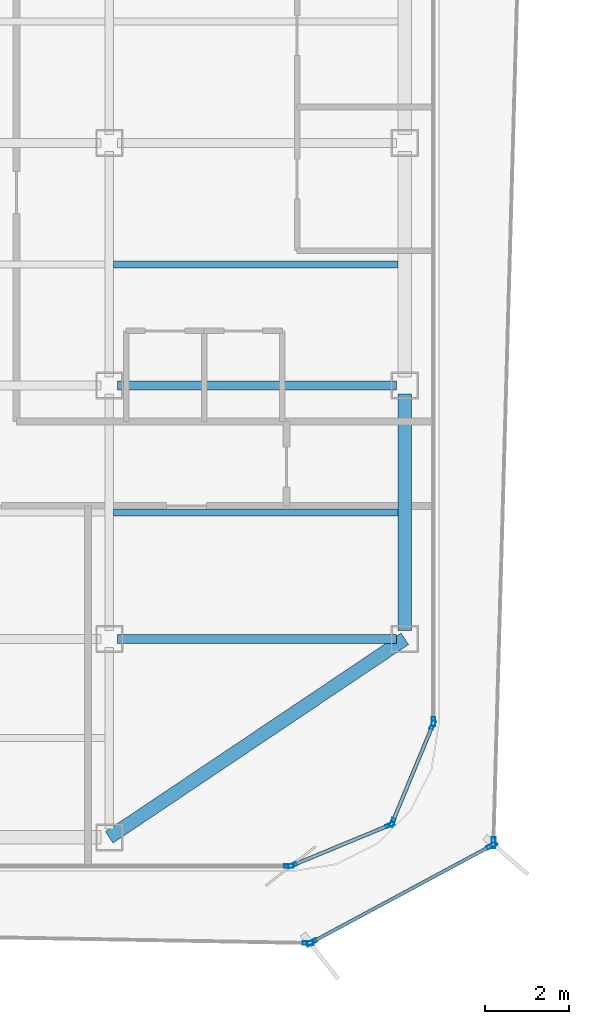
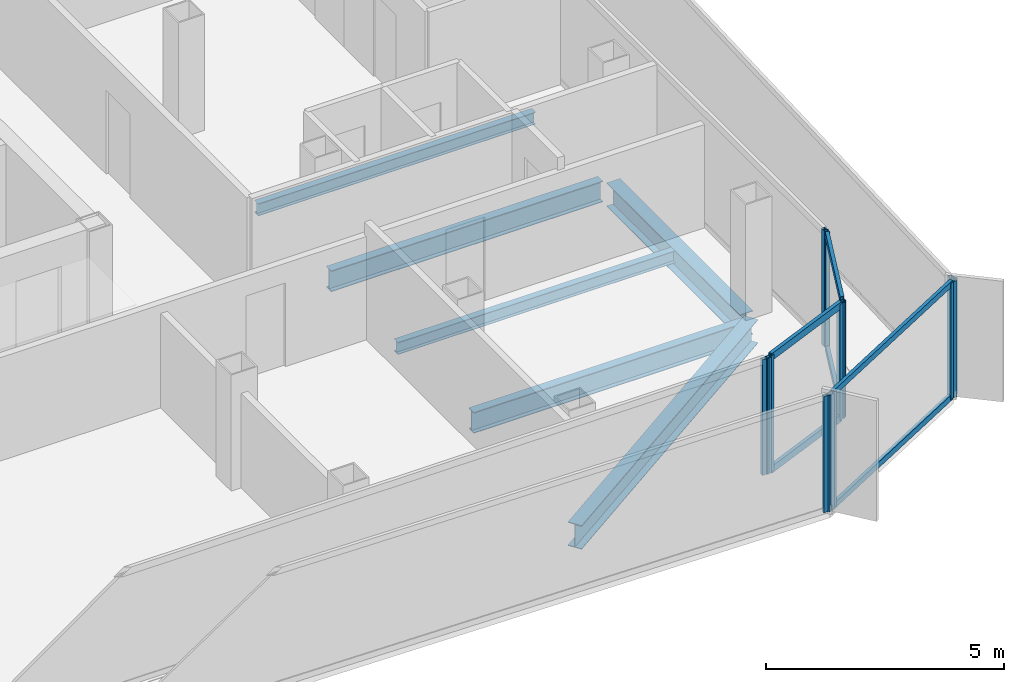
# One storey, part 4 of 14: 16 members, 6 beams, 7 elements without a shape of their own.
"""IFC4 building model written with IfcOpenShell, lengths in metres."""

import ifcopenshell
import ifcopenshell.guid

model = None  # the IFC model being written
_history = None  # IfcOwnerHistory: only IFC2X3 demands one
_inside = {}  # id of a spatial element -> (the spatial element, [elements in it])
_under = {}  # id of a project, library or spatial element -> (it, [spatial elements below it])
_declared = {}  # id of a project -> (the project, [libraries it declares])
_typed = {}  # id of a type object -> (the type object, [elements of that type])
_made_of = {}  # id of a material, layer set ... -> (it, [elements and type objects made of it])


def new_model(schema):
    """Start an empty IFC model of exactly this schema.

    Asked for "IFC4X3", IfcOpenShell would pick the latest addendum, in which some entities
    have other attributes; the version numbers below select the first issue.
    IFC2X3 requires an IfcOwnerHistory on every rooted entity: one is made here for all.
    """
    global model, _history
    if schema == "IFC4X3":
        model = ifcopenshell.file(schema_version=(4, 3, 0, 0))
    else:
        model = ifcopenshell.file(schema=schema)
    _inside.clear()
    _under.clear()
    _declared.clear()
    _typed.clear()
    _made_of.clear()
    _history = None
    if model.schema == "IFC2X3":
        org = make("IfcOrganization", Name="unknown")
        user = make(
            "IfcPersonAndOrganization",
            ThePerson=make("IfcPerson", FamilyName="unknown"),
            TheOrganization=org,
        )
        app = make(
            "IfcApplication",
            ApplicationDeveloper=org,
            Version="unknown",
            ApplicationFullName="unknown",
            ApplicationIdentifier="unknown",
        )
        _history = make(
            "IfcOwnerHistory",
            OwningUser=user,
            OwningApplication=app,
            ChangeAction="ADDED",
            CreationDate=0,
        )
    return model


def make(cls, **values):
    """One entity of the class cls with the attributes given. An attribute that is None is left unset."""
    return model.create_entity(
        cls, **{name: value for name, value in values.items() if value is not None}
    )


def rooted(cls, **values):
    """An entity with a GlobalId (a new one), such as an element, a storey or a relation."""
    return make(cls, GlobalId=ifcopenshell.guid.new(), OwnerHistory=_history, **values)


def si_unit(unit_type, name, prefix=None):
    """IfcSIUnit, for example si_unit("LENGTHUNIT", "METRE", prefix="MILLI")."""
    return make("IfcSIUnit", UnitType=unit_type, Prefix=prefix, Name=name)


def assignment(units):
    """IfcUnitAssignment: the units of a project."""
    return None if units is None else make("IfcUnitAssignment", Units=units)


def point(xyz):
    """IfcCartesianPoint."""
    return None if xyz is None else make("IfcCartesianPoint", Coordinates=xyz)


def direction(xyz):
    """IfcDirection."""
    return None if xyz is None else make("IfcDirection", DirectionRatios=xyz)


def frame(location, z_axis=None, x_axis=None):
    """IfcAxis2Placement3D, a coordinate frame: its origin and axes. An axis left out is left unset."""
    return make(
        "IfcAxis2Placement3D",
        Location=point(location),
        Axis=direction(z_axis),
        RefDirection=direction(x_axis),
    )


def frame_2d(location, x_axis=None):
    """IfcAxis2Placement2D, a coordinate frame in the plane: its origin and x axis."""
    return make(
        "IfcAxis2Placement2D", Location=point(location), RefDirection=direction(x_axis)
    )


def origin():
    """The frame at (0, 0, 0) with its axes left unset."""
    return frame((0.0, 0.0, 0.0))


def origin_2d():
    """The frame at (0, 0) in the plane with its x axis left unset."""
    return frame_2d((0.0, 0.0))


def place(relative_to, where):
    """IfcLocalPlacement: puts the frame where relative to a parent placement (None: the world)."""
    return make(
        "IfcLocalPlacement", PlacementRelTo=relative_to, RelativePlacement=where
    )


def context(
    kind, dimensions, precision=None, world=None, true_north=None, identifier=None
):
    """IfcGeometricRepresentationContext, for example the 3D "Model" context."""
    return make(
        "IfcGeometricRepresentationContext",
        ContextIdentifier=identifier,
        ContextType=kind,
        CoordinateSpaceDimension=dimensions,
        Precision=precision,
        WorldCoordinateSystem=world,
        TrueNorth=true_north,
    )


def subcontext(parent, identifier, kind, view, scale=None):
    """IfcGeometricRepresentationSubContext, for example "Body" below "Model"."""
    return make(
        "IfcGeometricRepresentationSubContext",
        ContextIdentifier=identifier,
        ContextType=kind,
        ParentContext=parent,
        TargetScale=scale,
        TargetView=view,
    )


def project(units=None, contexts=None):
    """IfcProject with its units and contexts."""
    return rooted(
        "IfcProject",
        Name="project",
        RepresentationContexts=contexts,
        UnitsInContext=assignment(units),
    )


def spatial(cls, under=None, at=None, **own):
    """A site, building, storey or space (cls), placed at a placement, below another one or the project."""
    s = rooted(cls, ObjectPlacement=at, **own)
    if under is not None:
        _under.setdefault(under.id(), (under, []))[1].append(s)
    return s


def profile(cls, at=None, kind="AREA", **sizes):
    """A parametric profile (cls). Its sizes go by their IFC names, for example OverallWidth=200.0."""
    return make(cls, ProfileType=kind, Position=at, **sizes)


def hollow_rectangle(**sizes):
    """IfcRectangleHollowProfileDef."""
    return profile("IfcRectangleHollowProfileDef", **sizes)


def i_section(**sizes):
    """IfcIShapeProfileDef."""
    return profile("IfcIShapeProfileDef", **sizes)


def extrude(swept, where, along, depth):
    """IfcExtrudedAreaSolid: the profile swept, set in the frame where, extruded along a direction by depth."""
    return make(
        "IfcExtrudedAreaSolid",
        SweptArea=swept,
        Position=where,
        ExtrudedDirection=direction(along),
        Depth=depth,
    )


def shape(context_of_items, identifier, shape_type, items):
    """IfcShapeRepresentation: the items that make up one representation, for example the "Body"."""
    return make(
        "IfcShapeRepresentation",
        ContextOfItems=context_of_items,
        RepresentationIdentifier=identifier,
        RepresentationType=shape_type,
        Items=items,
    )


def source(mapping_origin, context_of_items, identifier, shape_type, items):
    """IfcRepresentationMap: a shape defined once, which mapped items show again and again."""
    return make(
        "IfcRepresentationMap",
        MappingOrigin=mapping_origin,
        MappedRepresentation=shape(context_of_items, identifier, shape_type, items),
    )


def transform(
    local_origin,
    x_axis=None,
    y_axis=None,
    z_axis=None,
    scale=None,
    scale2=None,
    scale3=None,
    uniform=True,
):
    """IfcCartesianTransformationOperator3D, or its non-uniform kind. x_axis, y_axis, z_axis: its Axis1, 2, 3."""
    if uniform:
        return make(
            "IfcCartesianTransformationOperator3D",
            Axis1=direction(x_axis),
            Axis2=direction(y_axis),
            LocalOrigin=point(local_origin),
            Scale=scale,
            Axis3=direction(z_axis),
        )
    return make(
        "IfcCartesianTransformationOperator3DnonUniform",
        Axis1=direction(x_axis),
        Axis2=direction(y_axis),
        LocalOrigin=point(local_origin),
        Scale=scale,
        Axis3=direction(z_axis),
        Scale2=scale2,
        Scale3=scale3,
    )


def mapped(mapping_source, mapping_target):
    """IfcMappedItem: shows the shape of a source again, moved by a transform."""
    return make(
        "IfcMappedItem", MappingSource=mapping_source, MappingTarget=mapping_target
    )


def material(Name=None, Category=None):
    """IfcMaterial."""
    return make("IfcMaterial", Name=Name, Category=Category)


def layer(
    of_material, thickness, ventilated=None, Name=None, Category=None, Priority=None
):
    """IfcMaterialLayer: one layer of a wall or slab, of a material (None: an air gap)."""
    return make(
        "IfcMaterialLayer",
        Material=of_material,
        LayerThickness=thickness,
        IsVentilated=ventilated,
        Name=Name,
        Category=Category,
        Priority=Priority,
    )


def layer_set(layers, Name=None):
    """IfcMaterialLayerSet."""
    return make("IfcMaterialLayerSet", MaterialLayers=layers, LayerSetName=Name)


def material_profile(
    of_material, cross_section, Name=None, Category=None, Priority=None
):
    """IfcMaterialProfile: a cross section and its material."""
    return make(
        "IfcMaterialProfile",
        Name=Name,
        Material=of_material,
        Profile=cross_section,
        Priority=Priority,
        Category=Category,
    )


def profile_set(profiles, Name=None, composite=None):
    """IfcMaterialProfileSet."""
    return make(
        "IfcMaterialProfileSet",
        Name=Name,
        MaterialProfiles=profiles,
        CompositeProfile=composite,
    )


def made_of(thing, what):
    """Note that an element or type object is made of a material, layer set ...; save() writes the relation."""
    if what is not None:
        _made_of.setdefault(what.id(), (what, []))[1].append(thing)
    return thing


def type_object(cls, material=None, **own):
    """A type object (cls), such as IfcWallType, which elements share."""
    return made_of(rooted(cls, **own), material)


def element(
    cls,
    number,
    at=None,
    inside=None,
    cuts=None,
    type_object=None,
    material=None,
    context=None,
    identifier="Body",
    shape_type=None,
    held_by="IfcProductDefinitionShape",
    body=None,
    shapes=None,
    **own,
):
    """One element of the class cls, such as IfcWall. Its Tag is "e" and its number.

    at: its placement. inside: the storey or other place that contains it. cuts: it is an
    opening in that element (IfcRelVoidsElement). A single representation is given by context,
    identifier, shape_type and body (its items); several are given by shapes. held_by: the class
    of the entity that holds the representations. save() writes the other relations.
    """
    e = rooted(cls, Tag="e%d" % number, ObjectPlacement=at, **own)
    if body is not None:
        shapes = [shape(context, identifier, shape_type, body)]
    if shapes is not None:
        e.Representation = make(held_by, Representations=shapes)
    if inside is not None:
        _inside.setdefault(inside.id(), (inside, []))[1].append(e)
    if cuts is not None:
        rooted(
            "IfcRelVoidsElement", RelatingBuildingElement=cuts, RelatedOpeningElement=e
        )
    if type_object is not None:
        _typed.setdefault(type_object.id(), (type_object, []))[1].append(e)
    return made_of(e, material)


def aggregate(whole, parts):
    """IfcRelAggregates: a whole, such as a stair, and the parts it consists of."""
    return rooted("IfcRelAggregates", RelatingObject=whole, RelatedObjects=parts)


def save(model, path):
    """Write the relations noted so far, then the file.

    IfcRelAggregates (storeys below a building ...), IfcRelContainedInSpatialStructure (elements
    in a storey), IfcRelDefinesByType, IfcRelAssociatesMaterial and IfcRelDeclares: one each for
    every whole, place, type object, material and project.
    """
    for whole, parts in _under.values():
        aggregate(whole, parts)
    for where, things in _inside.values():
        rooted(
            "IfcRelContainedInSpatialStructure",
            RelatedElements=things,
            RelatingStructure=where,
        )
    for kind, things in _typed.values():
        rooted("IfcRelDefinesByType", RelatedObjects=things, RelatingType=kind)
    for what, things in _made_of.values():
        rooted("IfcRelAssociatesMaterial", RelatedObjects=things, RelatingMaterial=what)
    for by, libraries in _declared.values():
        rooted("IfcRelDeclares", RelatingContext=by, RelatedDefinitions=libraries)
    model.write(path)


model = new_model("IFC4")

# Units and contexts
model_context = context("Model", 3, precision=1e-05, world=origin(), true_north=direction((0.0, 1.0)))
body_context = subcontext(model_context, "Body", "Model", "MODEL_VIEW")
ifc_project = project(units=[si_unit("LENGTHUNIT", "METRE"), si_unit("AREAUNIT", "SQUARE_METRE"), si_unit("VOLUMEUNIT", "CUBIC_METRE"), si_unit("PLANEANGLEUNIT", "RADIAN"), si_unit("MASSUNIT", "GRAM", prefix="KILO")], contexts=[model_context])

# Site, building, storey
site_placement = place(None, origin())
site = spatial("IfcSite", under=ifc_project, at=site_placement, CompositionType="ELEMENT")
building_placement = place(site_placement, origin())
building = spatial("IfcBuilding", under=site, at=building_placement, Name="Kolveth Station Tower", CompositionType="ELEMENT")
storey_placement = place(building_placement, frame((0.0, 0.0, 226.5)))
storey = spatial("IfcBuildingStorey", under=building, at=storey_placement, Name="L64", CompositionType="ELEMENT", Elevation=226.5)

# Beams
ifc_material_1 = material(Name="Steel S355", Category="steel")
ifc_material_profile_1 = material_profile(ifc_material_1, i_section(OverallWidth=0.323974609375, OverallDepth=0.611083984375, WebThickness=0.0126953125, FlangeThickness=0.01904296875, at=origin_2d()), Name="W610x155")
ifc_profile_set_1 = profile_set([ifc_material_profile_1], Name="Steel S355")
beam_type_1 = type_object("IfcBeamType", Name="Beam_SP2", PredefinedType="SPANDREL", material=ifc_profile_set_1)
shared_shape_1 = source(origin(), body_context, "Body", "SweptSolid", [
    extrude(i_section(OverallWidth=0.323974609375, OverallDepth=0.611083984375, WebThickness=0.0126953125, FlangeThickness=0.01904296875, at=origin_2d()), origin(), (0.0, 0.0, 1.0), 8.431396484375),
])
beam_1_placement = place(storey_placement, frame((34.0, 0.800048828125, -0.525390625), z_axis=(0.830223811004, 0.557430196206, 0.0), x_axis=(-0.557430196206, 0.830223811004, 0.0)))
element("IfcBeam", 1, at=beam_1_placement, inside=storey, type_object=beam_type_1, Name="L64 Corner Edge Girder BM-L64-CNR-SE", PredefinedType="SPANDREL", context=body_context, shape_type="MappedRepresentation", body=[
    mapped(shared_shape_1, transform((0.0, 0.0, 0.0), x_axis=(1.0, 0.0, 0.0), y_axis=(0.0, 1.0, 0.0), z_axis=(0.0, 0.0, 1.0), scale=1.0)),
])
shared_shape_2 = source(origin(), body_context, "Body", "SweptSolid", [
    extrude(i_section(OverallWidth=0.323974609375, OverallDepth=0.611083984375, WebThickness=0.0126953125, FlangeThickness=0.01904296875, at=origin_2d()), origin(), (0.0, 0.0, 1.0), 5.60009765625),
])
beam_2_placement = place(storey_placement, frame((41.0, 5.699951171875, -0.525390625), z_axis=(0.0, 1.0, 0.0), x_axis=(-1.0, 0.0, 0.0)))
element("IfcBeam", 2, at=beam_2_placement, inside=storey, type_object=beam_type_1, Name="L64 Perimeter Spandrel BM-L64-PE-1", PredefinedType="SPANDREL", context=body_context, shape_type="MappedRepresentation", body=[
    mapped(shared_shape_2, transform((0.0, 0.0, 0.0), x_axis=(1.0, 0.0, 0.0), y_axis=(0.0, 1.0, 0.0), z_axis=(0.0, 0.0, 1.0), scale=1.0)),
])
ifc_material_profile_2 = material_profile(ifc_material_1, i_section(OverallWidth=0.2099609375, OverallDepth=0.537109375, WebThickness=0.010986328125, FlangeThickness=0.017333984375, at=origin_2d()), Name="W530x101")
ifc_profile_set_2 = profile_set([ifc_material_profile_2], Name="Steel S355")
beam_type_2 = type_object("IfcBeamType", Name="Beam_B6", PredefinedType="BEAM", material=ifc_profile_set_2)
shared_shape_3 = source(origin(), body_context, "Body", "SweptSolid", [
    extrude(i_section(OverallWidth=0.2099609375, OverallDepth=0.537109375, WebThickness=0.010986328125, FlangeThickness=0.017333984375, at=origin_2d()), origin(), (0.0, 0.0, 1.0), 6.60009765625),
])
for number, where, z_axis, x_axis, name in (
    (3, (34.199951171875, 5.5, -0.488525390625), (1.0, 0.0, 0.0), (0.0, 1.0, 0.0), "L64 Primary Girder BM-L64-GY55-5"),
    (4, (34.199951171875, 11.5, -0.488525390625), (1.0, 0.0, 0.0), (0.0, 1.0, 0.0), "L64 Primary Girder BM-L64-GY115-5"),
):
    element("IfcBeam", number, at=place(storey_placement, frame(where, z_axis=z_axis, x_axis=x_axis)), inside=storey, type_object=beam_type_2, Name=name, PredefinedType="BEAM", context=body_context, shape_type="MappedRepresentation", body=[
        mapped(shared_shape_3, transform((0.0, 0.0, 0.0), x_axis=(1.0, 0.0, 0.0), y_axis=(0.0, 1.0, 0.0), z_axis=(0.0, 0.0, 1.0), scale=1.0)),
    ])
ifc_material_profile_3 = material_profile(ifc_material_1, i_section(OverallWidth=0.1650390625, OverallDepth=0.31005859375, WebThickness=0.005859375, FlangeThickness=0.009765625, at=origin_2d()), Name="W310x39")
ifc_profile_set_3 = profile_set([ifc_material_profile_3], Name="Steel S355")
beam_type_3 = type_object("IfcBeamType", Name="Beam_J3", PredefinedType="JOIST", material=ifc_profile_set_3)
shared_shape_4 = source(origin(), body_context, "Body", "SweptSolid", [
    extrude(i_section(OverallWidth=0.1650390625, OverallDepth=0.31005859375, WebThickness=0.005859375, FlangeThickness=0.009765625, at=origin_2d()), origin(), (0.0, 0.0, 1.0), 6.737060546875),
])
for number, where, z_axis, x_axis, name in (
    (5, (34.10302734375, 8.5, -0.375), (1.0, 0.0, 0.0), (0.0, 1.0, 0.0), "L64 Secondary Joist JST-L64-5-2"),
    (6, (34.10302734375, 14.375, -0.375), (1.0, 0.0, 0.0), (0.0, 1.0, 0.0), "L64 Secondary Joist JST-L64-5-3"),
):
    element("IfcBeam", number, at=place(storey_placement, frame(where, z_axis=z_axis, x_axis=x_axis)), inside=storey, type_object=beam_type_3, Name=name, PredefinedType="JOIST", context=body_context, shape_type="MappedRepresentation", body=[
        mapped(shared_shape_4, transform((0.0, 0.0, 0.0), x_axis=(1.0, 0.0, 0.0), y_axis=(0.0, 1.0, 0.0), z_axis=(0.0, 0.0, 1.0), scale=1.0)),
    ])

# Curtain wall, members
ifc_material_2 = material(Name="Black anodized aluminium 6063-T6 and dark solar glass", Category="aluminium")
ifc_layer_1 = layer(ifc_material_2, 0.159912109375)
ifc_layer_set_1 = layer_set([ifc_layer_1], Name="Black anodized aluminium 6063-T6 and dark solar glass")
curtain_wall_type_1 = type_object("IfcCurtainWallType", Name="OUTER SKIN CW-OS", PredefinedType="NOTDEFINED", material=ifc_layer_set_1)
curtain_wall_1_placement = place(storey_placement, origin())
curtain_wall_1 = element("IfcCurtainWall", 7, at=curtain_wall_1_placement, inside=storey, type_object=curtain_wall_type_1, Name="L64 Outer Ventilated Skin Curtain Wall 1", PredefinedType="NOTDEFINED")
ifc_material_3 = material(Name="Black anodized aluminium 6063-T6", Category="aluminium")
ifc_material_profile_4 = material_profile(ifc_material_3, hollow_rectangle(XDim=0.090087890625, YDim=0.260009765625, WallThickness=0.0048828125, at=origin_2d()), Name="ALU-90x260x5")
ifc_profile_set_4 = profile_set([ifc_material_profile_4], Name="Black anodized aluminium 6063-T6")
member_type_1 = type_object("IfcMemberType", Name="FIN MULLION ML-OS", PredefinedType="MULLION", material=ifc_profile_set_4)
shared_shape_5 = source(origin(), body_context, "Body", "SweptSolid", [
    extrude(hollow_rectangle(XDim=0.090087890625, YDim=0.260009765625, WallThickness=0.0048828125, at=origin_2d()), origin(), (0.0, 0.0, 1.0), 2.989990234375),
])
member_1_placement = place(storey_placement, frame((38.796630859375, -1.686279296875, 0.0), z_axis=(0.0, 0.0, 1.0), x_axis=(-0.473390240681, 0.880852814054, 0.0)))
member_1 = element("IfcMember", 8, at=member_1_placement, type_object=member_type_1, Name="CW-OS mullion 1", PredefinedType="MULLION", context=body_context, shape_type="MappedRepresentation", body=[
    mapped(shared_shape_5, transform((0.0, 0.0, 0.0), x_axis=(1.0, 0.0, 0.0), y_axis=(0.0, 1.0, 0.0), z_axis=(0.0, 0.0, 1.0), scale=1.0)),
])
member_2_placement = place(storey_placement, frame((43.0634765625, 0.606689453125, 0.0), z_axis=(0.0, 0.0, 1.0), x_axis=(-0.473390240681, 0.880852814054, 0.0)))
member_2 = element("IfcMember", 9, at=member_2_placement, type_object=member_type_1, Name="CW-OS mullion 2", PredefinedType="MULLION", context=body_context, shape_type="MappedRepresentation", body=[
    mapped(shared_shape_5, transform((0.0, 0.0, 0.0), x_axis=(1.0, 0.0, 0.0), y_axis=(0.0, 1.0, 0.0), z_axis=(0.0, 0.0, 1.0), scale=1.0)),
])

# Curtain wall, member
curtain_wall_2_placement = place(storey_placement, origin())
curtain_wall_2 = element("IfcCurtainWall", 10, at=curtain_wall_2_placement, inside=storey, type_object=curtain_wall_type_1, Name="L64 Outer Ventilated Skin Curtain Wall 2", PredefinedType="NOTDEFINED")
member_3_placement = place(storey_placement, frame((43.1044921875, 0.673095703125, 0.0), z_axis=(0.0, 0.0, 1.0), x_axis=(-0.999608198205, 0.027990178319, 0.0)))
member_3 = element("IfcMember", 11, at=member_3_placement, type_object=member_type_1, Name="CW-OS mullion 1", PredefinedType="MULLION", context=body_context, shape_type="MappedRepresentation", body=[
    mapped(shared_shape_5, transform((0.0, 0.0, 0.0), x_axis=(1.0, 0.0, 0.0), y_axis=(0.0, 1.0, 0.0), z_axis=(0.0, 0.0, 1.0), scale=1.0)),
])
aggregate(curtain_wall_2, [member_3])

curtain_wall_3_placement = place(storey_placement, origin())
curtain_wall_3 = element("IfcCurtainWall", 12, at=curtain_wall_3_placement, inside=storey, type_object=curtain_wall_type_1, Name="L64 Outer Ventilated Skin Curtain Wall 8", PredefinedType="NOTDEFINED")
member_4_placement = place(storey_placement, frame((38.7119140625, -1.706787109375, 0.0), z_axis=(0.0, 0.0, 1.0), x_axis=(0.017968591408, 0.999838551829, 0.0)))
member_4 = element("IfcMember", 13, at=member_4_placement, type_object=member_type_1, Name="CW-OS mullion 2", PredefinedType="MULLION", context=body_context, shape_type="MappedRepresentation", body=[
    mapped(shared_shape_5, transform((0.0, 0.0, 0.0), x_axis=(1.0, 0.0, 0.0), y_axis=(0.0, 1.0, 0.0), z_axis=(0.0, 0.0, 1.0), scale=1.0)),
])
aggregate(curtain_wall_3, [member_4])

# Curtain wall, members
ifc_material_4 = material(Name="Aluminium 6063-T6 and triple low-E dark glass", Category="aluminium")
ifc_layer_2 = layer(ifc_material_4, 0.199951171875)
ifc_layer_set_2 = layer_set([ifc_layer_2], Name="Aluminium 6063-T6 and triple low-E dark glass")
curtain_wall_type_2 = type_object("IfcCurtainWallType", Name="CurtainWall_CW-Z3", PredefinedType="NOTDEFINED", material=ifc_layer_set_2)
curtain_wall_4_placement = place(storey_placement, origin())
curtain_wall_4 = element("IfcCurtainWall", 14, at=curtain_wall_4_placement, inside=storey, type_object=curtain_wall_type_2, Name="L64 Inner Thermal Curtain Wall 1", PredefinedType="NOTDEFINED")
ifc_material_profile_5 = material_profile(ifc_material_3, hollow_rectangle(XDim=0.0849609375, YDim=0.215087890625, WallThickness=0.0048828125, at=origin_2d()), Name="ALU-85x215x5")
ifc_profile_set_5 = profile_set([ifc_material_profile_5], Name="Black anodized aluminium 6063-T6")
member_type_2 = type_object("IfcMemberType", Name="Mullion_ML3", PredefinedType="MULLION", material=ifc_profile_set_5)
shared_shape_6 = source(origin(), body_context, "Body", "SweptSolid", [
    extrude(hollow_rectangle(XDim=0.0849609375, YDim=0.215087890625, WallThickness=0.0048828125, at=origin_2d()), origin(), (0.0, 0.0, 1.0), 2.97998046875),
])
member_5_placement = place(storey_placement, frame((38.33935546875, 0.13623046875, 0.0), z_axis=(0.0, 0.0, 1.0), x_axis=(-0.382693194181, 0.923875488975, 0.0)))
member_5 = element("IfcMember", 15, at=member_5_placement, type_object=member_type_2, Name="CW-Z3 mullion 1", PredefinedType="MULLION", context=body_context, shape_type="MappedRepresentation", body=[
    mapped(shared_shape_6, transform((0.0, 0.0, 0.0), x_axis=(1.0, 0.0, 0.0), y_axis=(0.0, 1.0, 0.0), z_axis=(0.0, 0.0, 1.0), scale=1.0)),
])
member_6_placement = place(storey_placement, frame((40.650634765625, 1.09375, 0.0), z_axis=(0.0, 0.0, 1.0), x_axis=(-0.382693194181, 0.923875488975, 0.0)))
member_6 = element("IfcMember", 16, at=member_6_placement, type_object=member_type_2, Name="CW-Z3 mullion 2", PredefinedType="MULLION", context=body_context, shape_type="MappedRepresentation", body=[
    mapped(shared_shape_6, transform((0.0, 0.0, 0.0), x_axis=(1.0, 0.0, 0.0), y_axis=(0.0, 1.0, 0.0), z_axis=(0.0, 0.0, 1.0), scale=1.0)),
])

curtain_wall_5_placement = place(storey_placement, origin())
curtain_wall_5 = element("IfcCurtainWall", 17, at=curtain_wall_5_placement, inside=storey, type_object=curtain_wall_type_2, Name="L64 Inner Thermal Curtain Wall 2", PredefinedType="NOTDEFINED")
member_7_placement = place(storey_placement, frame((40.706298828125, 1.149169921875, 0.0), z_axis=(0.0, 0.0, 1.0), x_axis=(-0.923875488975, 0.382693194181, 0.0)))
member_7 = element("IfcMember", 18, at=member_7_placement, type_object=member_type_2, Name="CW-Z3 mullion 1", PredefinedType="MULLION", context=body_context, shape_type="MappedRepresentation", body=[
    mapped(shared_shape_6, transform((0.0, 0.0, 0.0), x_axis=(1.0, 0.0, 0.0), y_axis=(0.0, 1.0, 0.0), z_axis=(0.0, 0.0, 1.0), scale=1.0)),
])
member_8_placement = place(storey_placement, frame((41.663818359375, 3.460693359375, 0.0), z_axis=(0.0, 0.0, 1.0), x_axis=(-0.923875488975, 0.382693194181, 0.0)))
member_8 = element("IfcMember", 19, at=member_8_placement, type_object=member_type_2, Name="CW-Z3 mullion 2", PredefinedType="MULLION", context=body_context, shape_type="MappedRepresentation", body=[
    mapped(shared_shape_6, transform((0.0, 0.0, 0.0), x_axis=(1.0, 0.0, 0.0), y_axis=(0.0, 1.0, 0.0), z_axis=(0.0, 0.0, 1.0), scale=1.0)),
])

# Curtain wall, member
curtain_wall_6_placement = place(storey_placement, origin())
curtain_wall_6 = element("IfcCurtainWall", 20, at=curtain_wall_6_placement, inside=storey, type_object=curtain_wall_type_2, Name="L64 Inner Thermal Curtain Wall 3", PredefinedType="NOTDEFINED")
member_9_placement = place(storey_placement, frame((41.679931640625, 3.54248046875, 0.0), z_axis=(0.0, 0.0, 1.0), x_axis=(-1.0, 0.0, 0.0)))
member_9 = element("IfcMember", 21, at=member_9_placement, type_object=member_type_2, Name="CW-Z3 mullion 1", PredefinedType="MULLION", context=body_context, shape_type="MappedRepresentation", body=[
    mapped(shared_shape_6, transform((0.0, 0.0, 0.0), x_axis=(1.0, 0.0, 0.0), y_axis=(0.0, 1.0, 0.0), z_axis=(0.0, 0.0, 1.0), scale=1.0)),
])
aggregate(curtain_wall_6, [member_9])

curtain_wall_7_placement = place(storey_placement, origin())
curtain_wall_7 = element("IfcCurtainWall", 22, at=curtain_wall_7_placement, inside=storey, type_object=curtain_wall_type_2, Name="L64 Inner Thermal Curtain Wall 12", PredefinedType="NOTDEFINED")
member_10_placement = place(storey_placement, frame((38.257568359375, 0.1201171875, 0.0), z_axis=(0.0, 0.0, 1.0), x_axis=(0.0, 1.0, 0.0)))
member_10 = element("IfcMember", 23, at=member_10_placement, type_object=member_type_2, Name="CW-Z3 mullion 2", PredefinedType="MULLION", context=body_context, shape_type="MappedRepresentation", body=[
    mapped(shared_shape_6, transform((0.0, 0.0, 0.0), x_axis=(1.0, 0.0, 0.0), y_axis=(0.0, 1.0, 0.0), z_axis=(0.0, 0.0, 1.0), scale=1.0)),
])
aggregate(curtain_wall_7, [member_10])

# Member
ifc_material_profile_6 = material_profile(ifc_material_3, hollow_rectangle(XDim=0.0849609375, YDim=0.179931640625, WallThickness=0.0048828125, at=origin_2d()), Name="ALU-85x180x5")
ifc_profile_set_6 = profile_set([ifc_material_profile_6], Name="Black anodized aluminium 6063-T6")
member_type_3 = type_object("IfcMemberType", Name="Transom_TR3", PredefinedType="USERDEFINED", material=ifc_profile_set_6)
shared_shape_7 = source(origin(), body_context, "Body", "SweptSolid", [
    extrude(hollow_rectangle(XDim=0.0849609375, YDim=0.179931640625, WallThickness=0.0048828125, at=origin_2d()), origin(), (0.0, 0.0, 1.0), 2.4169921875),
])
member_11_placement = place(storey_placement, frame((38.37841796875, 0.152587890625, 0.04248046875), z_axis=(0.923908507952, 0.382613471971, 0.0), x_axis=(-0.382613471971, 0.923908507952, 0.0)))
member_11 = element("IfcMember", 24, at=member_11_placement, type_object=member_type_3, Name="CW-Z3 transom 1.1", ObjectType="TRANSOM", PredefinedType="USERDEFINED", context=body_context, shape_type="MappedRepresentation", body=[
    mapped(shared_shape_7, transform((0.0, 0.0, 0.0), x_axis=(1.0, 0.0, 0.0), y_axis=(0.0, 1.0, 0.0), z_axis=(0.0, 0.0, 1.0), scale=1.0)),
])

member_12_placement = place(storey_placement, frame((38.37841796875, 0.152587890625, 2.9375), z_axis=(0.923908507952, 0.382613471971, 0.0), x_axis=(-0.382613471971, 0.923908507952, 0.0)))
member_12 = element("IfcMember", 25, at=member_12_placement, type_object=member_type_3, Name="CW-Z3 transom 1.2", ObjectType="TRANSOM", PredefinedType="USERDEFINED", context=body_context, shape_type="MappedRepresentation", body=[
    mapped(shared_shape_7, transform((0.0, 0.0, 0.0), x_axis=(1.0, 0.0, 0.0), y_axis=(0.0, 1.0, 0.0), z_axis=(0.0, 0.0, 1.0), scale=1.0)),
])

aggregate(curtain_wall_4, [member_5, member_6, member_11, member_12])

member_13_placement = place(storey_placement, frame((40.722412109375, 1.1884765625, 0.04248046875), z_axis=(0.382735401206, 0.9238580046, 0.0), x_axis=(-0.9238580046, 0.382735401206, 0.0)))
member_13 = element("IfcMember", 26, at=member_13_placement, type_object=member_type_3, Name="CW-Z3 transom 1.1", ObjectType="TRANSOM", PredefinedType="USERDEFINED", context=body_context, shape_type="MappedRepresentation", body=[
    mapped(shared_shape_7, transform((0.0, 0.0, 0.0), x_axis=(1.0, 0.0, 0.0), y_axis=(0.0, 1.0, 0.0), z_axis=(0.0, 0.0, 1.0), scale=1.0)),
])

member_14_placement = place(storey_placement, frame((40.722412109375, 1.1884765625, 2.9375), z_axis=(0.382735401206, 0.9238580046, 0.0), x_axis=(-0.9238580046, 0.382735401206, 0.0)))
member_14 = element("IfcMember", 27, at=member_14_placement, type_object=member_type_3, Name="CW-Z3 transom 1.2", ObjectType="TRANSOM", PredefinedType="USERDEFINED", context=body_context, shape_type="MappedRepresentation", body=[
    mapped(shared_shape_7, transform((0.0, 0.0, 0.0), x_axis=(1.0, 0.0, 0.0), y_axis=(0.0, 1.0, 0.0), z_axis=(0.0, 0.0, 1.0), scale=1.0)),
])

aggregate(curtain_wall_5, [member_7, member_8, member_13, member_14])

ifc_material_profile_7 = material_profile(ifc_material_3, hollow_rectangle(XDim=0.080078125, YDim=0.14990234375, WallThickness=0.0048828125, at=origin_2d()), Name="ALU-80x150x5")
ifc_profile_set_7 = profile_set([ifc_material_profile_7], Name="Black anodized aluminium 6063-T6")
member_type_4 = type_object("IfcMemberType", Name="Transom_TR-OS", PredefinedType="USERDEFINED", material=ifc_profile_set_7)
shared_shape_8 = source(origin(), body_context, "Body", "SweptSolid", [
    extrude(hollow_rectangle(XDim=0.080078125, YDim=0.14990234375, WallThickness=0.0048828125, at=origin_2d()), origin(), (0.0, 0.0, 1.0), 4.754150390625),
])
member_15_placement = place(storey_placement, frame((38.836181640625, -1.6650390625, 0.0400390625), z_axis=(0.880861603428, 0.473373885641, 0.0), x_axis=(-0.473373885641, 0.880861603428, 0.0)))
member_15 = element("IfcMember", 28, at=member_15_placement, type_object=member_type_4, Name="CW-OS transom 1.1", ObjectType="TRANSOM", PredefinedType="USERDEFINED", context=body_context, shape_type="MappedRepresentation", body=[
    mapped(shared_shape_8, transform((0.0, 0.0, 0.0), x_axis=(1.0, 0.0, 0.0), y_axis=(0.0, 1.0, 0.0), z_axis=(0.0, 0.0, 1.0), scale=1.0)),
])

member_16_placement = place(storey_placement, frame((38.836181640625, -1.6650390625, 2.949951171875), z_axis=(0.880861603428, 0.473373885641, 0.0), x_axis=(-0.473373885641, 0.880861603428, 0.0)))
member_16 = element("IfcMember", 29, at=member_16_placement, type_object=member_type_4, Name="CW-OS transom 1.2", ObjectType="TRANSOM", PredefinedType="USERDEFINED", context=body_context, shape_type="MappedRepresentation", body=[
    mapped(shared_shape_8, transform((0.0, 0.0, 0.0), x_axis=(1.0, 0.0, 0.0), y_axis=(0.0, 1.0, 0.0), z_axis=(0.0, 0.0, 1.0), scale=1.0)),
])

aggregate(curtain_wall_1, [member_1, member_2, member_15, member_16])

save(model, "model.ifc")
